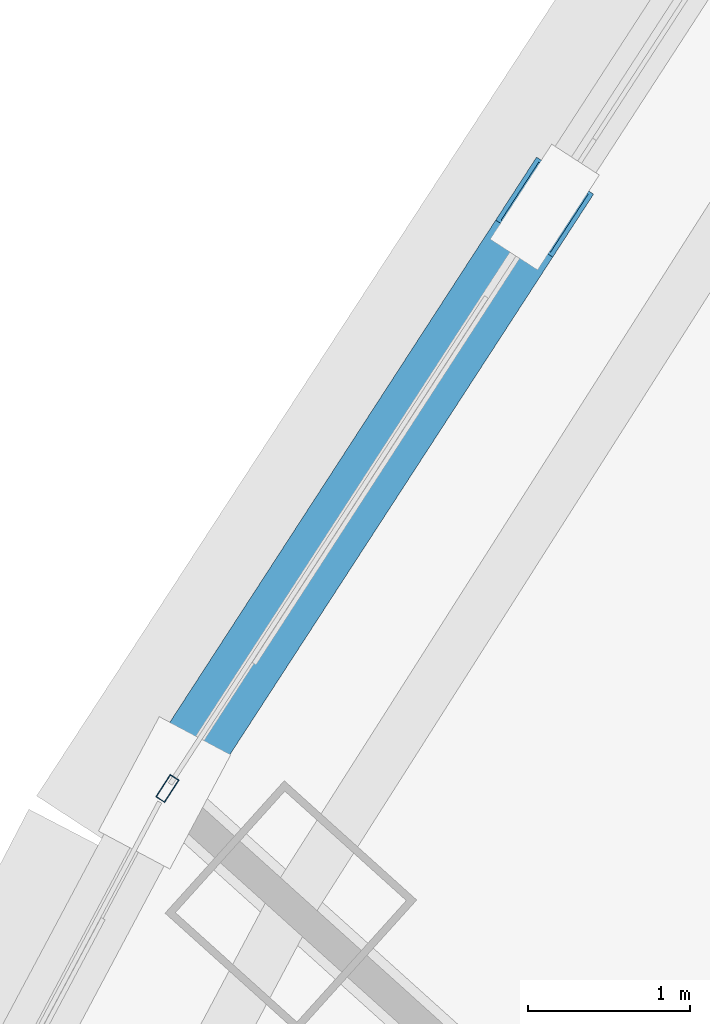
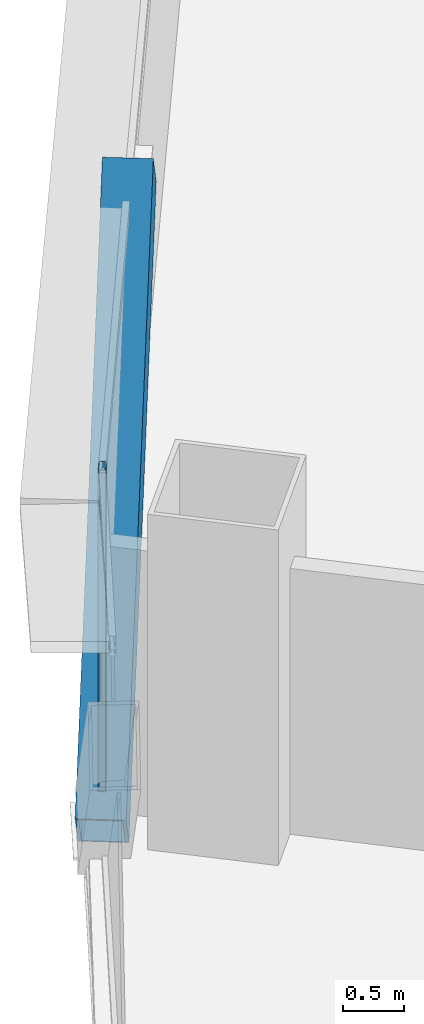
# One storey, part 16 of 41: 2 members, 1 element without a shape of its own.
"""IFC4 building model written with IfcOpenShell, lengths in metres."""

from ifc_helpers import new_model, si_unit, direction, frame, origin, origin_2d, place, context, subcontext, project, spatial, hollow_rectangle, extrude, source, transform, mapped, material, layer, layer_set, material_profile, profile_set, type_object, element, aggregate, save


model = new_model("IFC4")

# Units and contexts
model_context = context("Model", 3, precision=1e-05, world=origin(), true_north=direction((0.0, 1.0)))
body_context = subcontext(model_context, "Body", "Model", "MODEL_VIEW")
ifc_project = project(units=[si_unit("LENGTHUNIT", "METRE"), si_unit("AREAUNIT", "SQUARE_METRE"), si_unit("VOLUMEUNIT", "CUBIC_METRE"), si_unit("PLANEANGLEUNIT", "RADIAN"), si_unit("MASSUNIT", "GRAM", prefix="KILO"), si_unit("THERMODYNAMICTEMPERATUREUNIT", "KELVIN"), si_unit("POWERUNIT", "WATT")], contexts=[model_context])

# Site, building, storey
site_placement = place(None, origin())
site = spatial("IfcSite", under=ifc_project, at=site_placement, CompositionType="ELEMENT")
building_placement = place(site_placement, origin())
building = spatial("IfcBuilding", under=site, at=building_placement, Name="Yunzhuo Pagoda Commons", CompositionType="ELEMENT")
storey_placement = place(building_placement, frame((0.0, 0.0, 63.070068359375)))
storey = spatial("IfcBuildingStorey", under=building, at=storey_placement, Name="L16", CompositionType="ELEMENT", Elevation=63.070068359375)

# Member
ifc_material_1 = material(Name="Structural steel Q420B", Category="steel")
ifc_material_profile_1 = material_profile(ifc_material_1, hollow_rectangle(XDim=0.419921875, YDim=0.719970703125, WallThickness=0.028076171875, at=origin_2d()), Name="Structural steel Q420B")
ifc_profile_set_1 = profile_set([ifc_material_profile_1], Name="Structural steel Q420B")
member_type_1 = type_object("IfcMemberType", Name="M-DL1 Brace BOX 720x420x28", PredefinedType="BRACE", material=ifc_profile_set_1)
shared_shape_1 = source(origin(), body_context, "Body", "SweptSolid", [
    extrude(hollow_rectangle(XDim=0.419921875, YDim=0.719970703125, WallThickness=0.028076171875, at=origin_2d()), origin(), (0.0, 0.0, 1.0), 5.636962890625),
])
member_1_placement = place(storey_placement, frame((21.571044921875, 57.496826171875, -0.260009765625), z_axis=(0.416476907934, 0.641779827554, 0.643945368881), x_axis=(-0.838849504267, 0.544363398099, 0.0)))
element("IfcMember", 1, at=member_1_placement, inside=storey, type_object=member_type_1, Name="L16 facade diamond brace F3.1R", PredefinedType="BRACE", context=body_context, shape_type="MappedRepresentation", body=[
    mapped(shared_shape_1, transform((0.0, 0.0, 0.0), scale=1.0)),
])

# Curtain wall, member
ifc_material_2 = material(Name="Anodized aluminium 6063-T6", Category="aluminium")
ifc_layer = layer(ifc_material_2, 0.1650390625)
ifc_layer_set = layer_set([ifc_layer], Name="Anodized aluminium 6063-T6")
curtain_wall_type = type_object("IfcCurtainWallType", Name="CW-LOW Low-Zone Ribbon Curtain Wall", PredefinedType="NOTDEFINED", material=ifc_layer_set)
curtain_wall_placement = place(storey_placement, origin())
curtain_wall = element("IfcCurtainWall", 2, at=curtain_wall_placement, inside=storey, type_object=curtain_wall_type, Name="L16 curtain wall CW-L16-F3B2", PredefinedType="NOTDEFINED")
ifc_material_profile_2 = material_profile(ifc_material_2, hollow_rectangle(XDim=0.06494140625, YDim=0.1650390625, WallThickness=0.00390625, at=origin_2d()), Name="Anodized aluminium 6063-T6")
ifc_profile_set_2 = profile_set([ifc_material_profile_2], Name="Anodized aluminium 6063-T6")
member_type_2 = type_object("IfcMemberType", Name="CW-LOW-M Mullion RHS 165x65x4", PredefinedType="MULLION", material=ifc_profile_set_2)
shared_shape_2 = source(origin(), body_context, "Body", "SweptSolid", [
    extrude(hollow_rectangle(XDim=0.06494140625, YDim=0.1650390625, WallThickness=0.00390625, at=origin_2d()), origin(), (0.0, 0.0, 1.0), 3.369873046875),
])
member_2_placement = place(storey_placement, frame((21.588623046875, 57.524169921875, 0.0), z_axis=(0.0, 0.0, 1.0), x_axis=(0.838840312647, -0.54437756188, 0.0)))
member_2 = element("IfcMember", 3, at=member_2_placement, type_object=member_type_2, Name="CW mullion 2", PredefinedType="MULLION", context=body_context, shape_type="MappedRepresentation", body=[
    mapped(shared_shape_2, transform((0.0, 0.0, 0.0), scale=1.0)),
])
aggregate(curtain_wall, [member_2])

save(model, "model.ifc")
